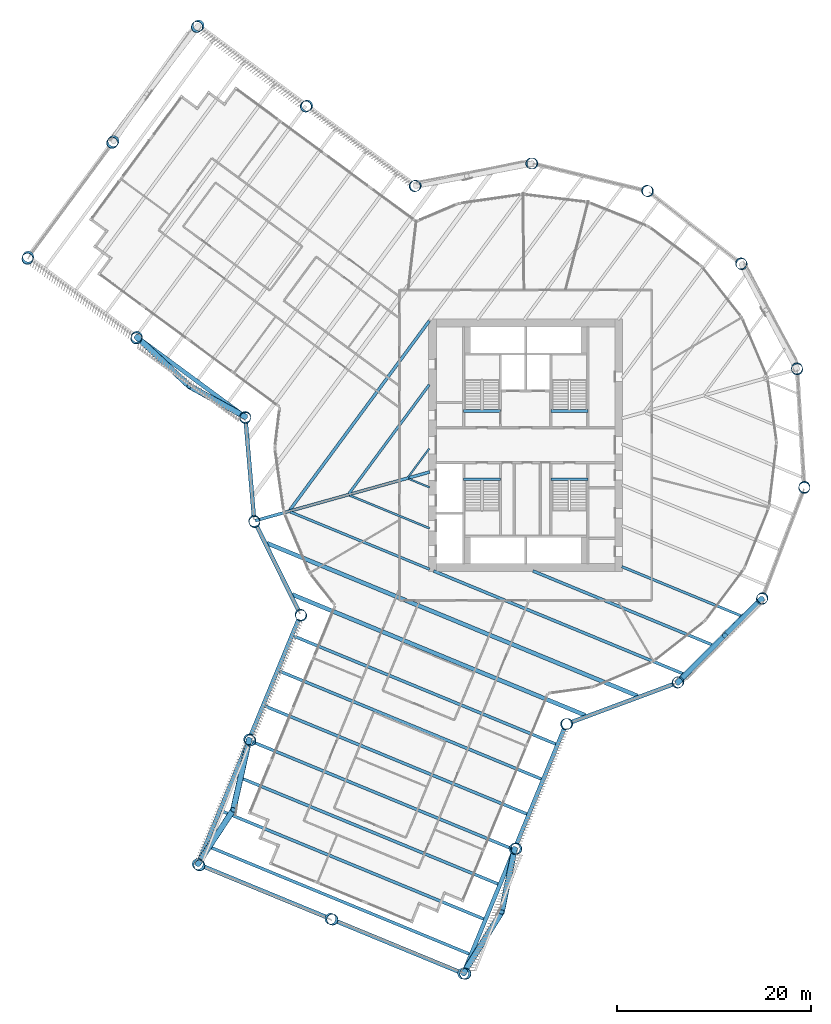
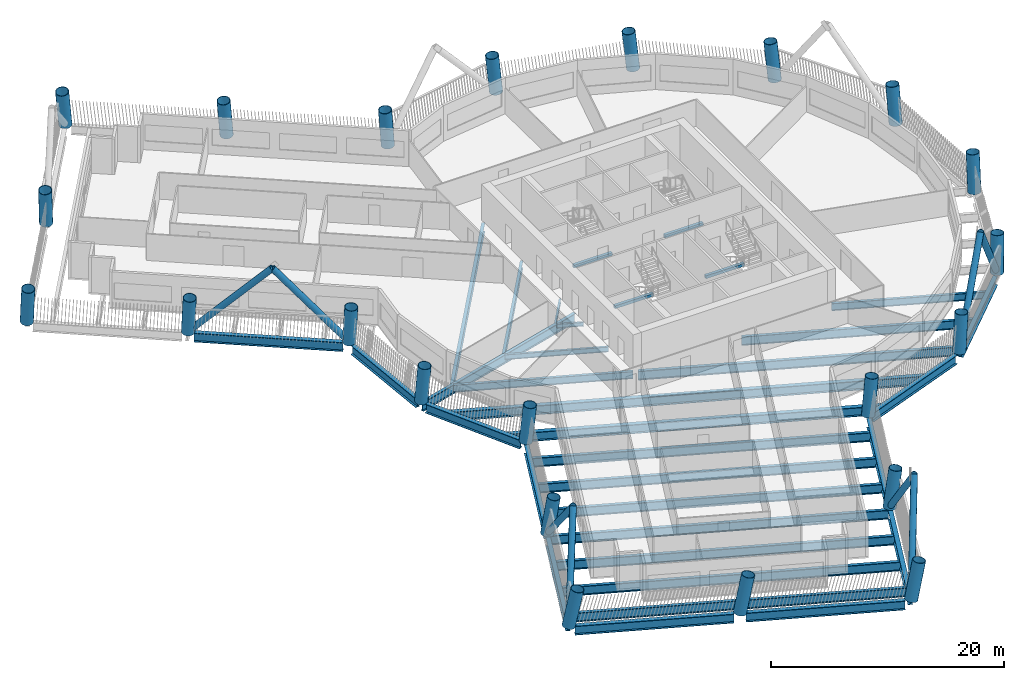
# One storey, part 1 of 23: 34 beams, 22 columns, 8 members.
"""IFC4 building model written with IfcOpenShell, lengths in metres."""

from ifc_helpers import new_model, si_unit, direction, frame, origin, origin_2d, place, context, subcontext, project, spatial, rectangle, hollow_circle, i_section, extrude, material, material_profile, profile_set, type_object, element, save


model = new_model("IFC4")

# Units and contexts
model_context = context("Model", 3, precision=1e-05, world=origin(), true_north=direction((0.0, 1.0)))
body_context = subcontext(model_context, "Body", "Model", "MODEL_VIEW")
ifc_project = project(units=[si_unit("LENGTHUNIT", "METRE"), si_unit("AREAUNIT", "SQUARE_METRE"), si_unit("VOLUMEUNIT", "CUBIC_METRE"), si_unit("PLANEANGLEUNIT", "RADIAN"), si_unit("MASSUNIT", "GRAM", prefix="KILO")], contexts=[model_context])

# Site, building, storey
site_placement = place(None, origin())
site = spatial("IfcSite", under=ifc_project, at=site_placement, CompositionType="ELEMENT")
building_placement = place(site_placement, origin())
building = spatial("IfcBuilding", under=site, at=building_placement, Name="Tarsis Ring Headquarters", CompositionType="ELEMENT")
storey_placement = place(building_placement, frame((0.0, 0.0, 124.0)))
storey = spatial("IfcBuildingStorey", under=building, at=storey_placement, Name="L28", CompositionType="ELEMENT", Elevation=124.0)

# Columns
ifc_material_1 = material(Name="Structural steel S355", Category="steel")
ifc_material_profile_1 = material_profile(ifc_material_1, hollow_circle(Radius=0.584228515625, WallThickness=0.044921875, at=origin_2d()), Name="CHS 1168x45")
ifc_profile_set_1 = profile_set([ifc_material_profile_1], Name="Structural steel S355")
column_type = type_object("IfcColumnType", Name="XC Exo column CHS 1168x45", PredefinedType="COLUMN", material=ifc_profile_set_1)
for number, where, z_axis, x_axis, name in (
    (1, (-27.978515625, -7.811767578125, 0.0009765625), (0.027790009275, -0.09701579471, 0.994894793916), (0.961337332593, 0.275373442734, 0.0), "Exo column XC3 F1"),
    (2, (-23.208251953125, -17.4697265625, 0.0009765625), (0.06118816158, -0.080192631318, 0.99489956818), (0.795006121233, 0.606601407188, 0.0), "Exo column XC3 AK"),
):
    element("IfcColumn", number, at=place(storey_placement, frame(where, z_axis=z_axis, x_axis=x_axis)), inside=storey, type_object=column_type, Name=name, PredefinedType="COLUMN", context=body_context, shape_type="SweptSolid", body=[
        extrude(hollow_circle(Radius=0.584228515625, WallThickness=0.044921875, at=origin_2d()), origin(), (0.0, 0.0, 1.0), 3.918212890625),
    ])
column_1_placement = place(storey_placement, frame((-28.505859375, -30.322998046875, 0.0009765625), z_axis=(0.105370759102, -0.097746874767, 0.989617376363), x_axis=(0.680087108219, 0.733131315137, 0.0)))
element("IfcColumn", 3, at=column_1_placement, inside=storey, type_object=column_type, Name="Exo column XC3 AI1", PredefinedType="COLUMN", context=body_context, shape_type="SweptSolid", body=[
    extrude(hollow_circle(Radius=0.584228515625, WallThickness=0.044921875, at=origin_2d()), origin(), (0.0, 0.0, 1.0), 3.93896484375),
])
column_2_placement = place(storey_placement, frame((-33.8037109375, -43.17626953125, 0.001220703125), z_axis=(0.148825534153, -0.114926042909, 0.9821623924), x_axis=(0.611196043962, 0.791479245366, 0.0)))
element("IfcColumn", 4, at=column_2_placement, inside=storey, type_object=column_type, Name="Exo column XC3 AT1", PredefinedType="COLUMN", context=body_context, shape_type="SweptSolid", body=[
    extrude(hollow_circle(Radius=0.584228515625, WallThickness=0.044921875, at=origin_2d()), origin(), (0.0, 0.0, 1.0), 3.96826171875),
])
column_3_placement = place(storey_placement, frame((-20.120361328125, -48.816162109375, 0.001220703125), z_axis=(0.168054200519, -0.067886997424, 0.983437410956), x_axis=(0.37455296329, 0.92720552074, 0.0)))
element("IfcColumn", 5, at=column_3_placement, inside=storey, type_object=column_type, Name="Exo column XC3 AT2", PredefinedType="COLUMN", context=body_context, shape_type="SweptSolid", body=[
    extrude(hollow_circle(Radius=0.584228515625, WallThickness=0.044921875, at=origin_2d()), origin(), (0.0, 0.0, 1.0), 3.963134765625),
])
column_4_placement = place(storey_placement, frame((-6.43701171875, -54.455810546875, 0.001220703125), z_axis=(0.186848297519, -0.02079510193, 0.982168660389), x_axis=(0.110611113683, 0.993863764069, 0.0)))
element("IfcColumn", 6, at=column_4_placement, inside=storey, type_object=column_type, Name="Exo column XC3 AT3", PredefinedType="COLUMN", context=body_context, shape_type="SweptSolid", body=[
    extrude(hollow_circle(Radius=0.584228515625, WallThickness=0.044921875, at=origin_2d()), origin(), (0.0, 0.0, 1.0), 3.96826171875),
])
column_5_placement = place(storey_placement, frame((-1.139404296875, -41.6025390625, 0.0009765625), z_axis=(0.143737246097, -0.002975156452, 0.989611414914), x_axis=(0.02069414444, 0.999785853264, 0.0)))
element("IfcColumn", 7, at=column_5_placement, inside=storey, type_object=column_type, Name="Exo column XC3 AO1", PredefinedType="COLUMN", context=body_context, shape_type="SweptSolid", body=[
    extrude(hollow_circle(Radius=0.584228515625, WallThickness=0.044921875, at=origin_2d()), origin(), (0.0, 0.0, 1.0), 3.93896484375),
])
for number, where, z_axis, x_axis, name in (
    (8, (4.158203125, -28.749267578125, 0.0009765625), (0.099757681089, 0.015078924937, 0.994897497779), (-0.149457765606, 0.988768110479, 0.0), "Exo column XC3 AJ"),
    (9, (15.638916015625, -24.4794921875, 0.0009765625), (0.084616683082, 0.054894917375, 0.994900278918), (-0.544249862784, 0.838923171011, 0.0), "Exo column XC3 R1"),
    (10, (24.338623046875, -15.85693359375, 0.0009765625), (0.054521022278, 0.084865865535, 0.994899614532), (-0.841339001728, 0.540507802138, 0.0), "Exo column XC3 R2"),
    (11, (28.7109375, -4.4150390625, 0.0009765625), (0.014705057731, 0.099819925781, 0.994896850781), (-0.989322500479, 0.145742890208, 0.0), "Exo column XC3 R3"),
    (12, (27.978515625, 7.811767578125, 0.0009765625), (-0.027790009275, 0.09701579471, 0.994894793916), (-0.961337332593, -0.275373442734, 0.0), "Exo column XC3 R4"),
    (13, (22.271240234375, 18.649658203125, 0.0009765625), (-0.06530024471, 0.076952101352, 0.994894090915), (-0.762472216204, -0.647020957556, 0.0), "Exo column XC3 R5"),
    (14, (12.60400390625, 26.171630859375, 0.0009765625), (-0.0912209497, 0.043180408567, 0.994894060014), (-0.427847477403, -0.903850947933, 0.0), "Exo column XC3 R6"),
    (15, (0.69580078125, 29.040283203125, 0.0009765625), (-0.100879229539, 0.001682358986, 0.994897256362), (-0.016674642464, -0.999860968484, 0.0), "Exo column XC3 R7"),
    (16, (-11.336181640625, 26.7451171875, 0.0009765625), (-0.092654103844, -0.040002646044, 0.994894469454), (0.396376881788, -0.918087886634, 0.0), "Exo column XC3 BJ"),
):
    element("IfcColumn", number, at=place(storey_placement, frame(where, z_axis=z_axis, x_axis=x_axis)), inside=storey, type_object=column_type, Name=name, PredefinedType="COLUMN", context=body_context, shape_type="SweptSolid", body=[
        extrude(hollow_circle(Radius=0.584228515625, WallThickness=0.044921875, at=origin_2d()), origin(), (0.0, 0.0, 1.0), 3.918212890625),
    ])
column_6_placement = place(storey_placement, frame((-22.526123046875, 34.9951171875, 0.0009765625), z_axis=(-0.120369487639, -0.078655447896, 0.989608259344), x_axis=(0.547017060056, -0.837121458337, 0.0)))
element("IfcColumn", 17, at=column_6_placement, inside=storey, type_object=column_type, Name="Exo column XC3 BO1", PredefinedType="COLUMN", context=body_context, shape_type="SweptSolid", body=[
    extrude(hollow_circle(Radius=0.584228515625, WallThickness=0.044921875, at=origin_2d()), origin(), (0.0, 0.0, 1.0), 3.93896484375),
])
column_7_placement = place(storey_placement, frame((-33.716064453125, 43.244873046875, 0.001220703125), z_axis=(-0.147473229834, -0.116588139564, 0.98217048021), x_axis=(0.620174702512, -0.784463726608, 0.0)))
element("IfcColumn", 18, at=column_7_placement, inside=storey, type_object=column_type, Name="Exo column XC3 BT3", PredefinedType="COLUMN", context=body_context, shape_type="SweptSolid", body=[
    extrude(hollow_circle(Radius=0.584228515625, WallThickness=0.044921875, at=origin_2d()), origin(), (0.0, 0.0, 1.0), 3.96826171875),
])
column_8_placement = place(storey_placement, frame((-42.49853515625, 31.332275390625, 0.001220703125), z_axis=(-0.106573777046, -0.146615947612, 0.98343570911), x_axis=(0.808883028491, -0.58796959634, 0.0)))
element("IfcColumn", 19, at=column_8_placement, inside=storey, type_object=column_type, Name="Exo column XC3 BT2", PredefinedType="COLUMN", context=body_context, shape_type="SweptSolid", body=[
    extrude(hollow_circle(Radius=0.584228515625, WallThickness=0.044921875, at=origin_2d()), origin(), (0.0, 0.0, 1.0), 3.963134765625),
])
column_9_placement = place(storey_placement, frame((-51.281005859375, 19.419921875, 0.001220703125), z_axis=(-0.065399908417, -0.176265980822, 0.982167580398), x_axis=(0.93754728445, -0.34785785807, 0.0)))
element("IfcColumn", 20, at=column_9_placement, inside=storey, type_object=column_type, Name="Exo column XC3 BT1", PredefinedType="COLUMN", context=body_context, shape_type="SweptSolid", body=[
    extrude(hollow_circle(Radius=0.584228515625, WallThickness=0.044921875, at=origin_2d()), origin(), (0.0, 0.0, 1.0), 3.96826171875),
])
column_10_placement = place(storey_placement, frame((-40.09130859375, 11.170166015625, 0.0009765625), z_axis=(-0.037623223868, -0.138778250807, 0.989608553989), x_axis=(0.965160626691, -0.261658106477, 0.0)))
element("IfcColumn", 21, at=column_10_placement, inside=storey, type_object=column_type, Name="Exo column XC3 BI1", PredefinedType="COLUMN", context=body_context, shape_type="SweptSolid", body=[
    extrude(hollow_circle(Radius=0.584228515625, WallThickness=0.044921875, at=origin_2d()), origin(), (0.0, 0.0, 1.0), 3.93896484375),
])
column_11_placement = place(storey_placement, frame((-28.9013671875, 2.92041015625, 0.0009765625), z_axis=(-0.009471062442, -0.100443109581, 0.994897723745), x_axis=(0.995583860201, -0.093876393766, 0.0)))
element("IfcColumn", 22, at=column_11_placement, inside=storey, type_object=column_type, Name="Exo column XC3 BK", PredefinedType="COLUMN", context=body_context, shape_type="SweptSolid", body=[
    extrude(hollow_circle(Radius=0.584228515625, WallThickness=0.044921875, at=origin_2d()), origin(), (0.0, 0.0, 1.0), 3.918212890625),
])

# Beams
ifc_material_profile_2 = material_profile(ifc_material_1, i_section(OverallWidth=0.177734375, OverallDepth=0.406494140625, WebThickness=0.0078125, FlangeThickness=0.0126953125, at=origin_2d()), Name="W16x40")
ifc_profile_set_2 = profile_set([ifc_material_profile_2], Name="Structural steel S355")
beam_type_1 = type_object("IfcBeamType", Name="FB Floor beam W16x40", PredefinedType="JOIST", material=ifc_profile_set_2)
beam_1_placement = place(storey_placement, frame((-12.062255859375, -3.46484375, -0.36328125), z_axis=(0.924539194402, -0.381086969095, 0.0), x_axis=(0.381086969095, 0.924539194402, 0.0)))
element("IfcBeam", 23, at=beam_1_placement, inside=storey, type_object=beam_type_1, Name="Floor beam FB1", PredefinedType="JOIST", context=body_context, shape_type="SweptSolid", body=[
    extrude(i_section(OverallWidth=0.177734375, OverallDepth=0.406494140625, WebThickness=0.0078125, FlangeThickness=0.0126953125, at=origin_2d()), origin(), (0.0, 0.0, 1.0), 2.33056640625),
])
beam_2_placement = place(storey_placement, frame((-9.940673828125, -0.339111328125, -0.36328125), z_axis=(-0.593426561092, -0.804888139179, 0.0), x_axis=(0.804888139179, -0.593426561092, 0.0)))
element("IfcBeam", 24, at=beam_2_placement, inside=storey, type_object=beam_type_1, Name="Floor beam FB1", PredefinedType="JOIST", context=body_context, shape_type="SweptSolid", body=[
    extrude(i_section(OverallWidth=0.177734375, OverallDepth=0.406494140625, WebThickness=0.0078125, FlangeThickness=0.0126953125, at=origin_2d()), origin(), (0.0, 0.0, 1.0), 3.659912109375),
])
ifc_material_profile_3 = material_profile(ifc_material_1, i_section(OverallWidth=0.209228515625, OverallDepth=0.533447265625, WebThickness=0.01025390625, FlangeThickness=0.015625, at=origin_2d()), Name="W21x62")
ifc_profile_set_3 = profile_set([ifc_material_profile_3], Name="Structural steel S355")
beam_type_2 = type_object("IfcBeamType", Name="FB Floor beam W21x62", PredefinedType="JOIST", material=ifc_profile_set_3)
beam_3_placement = place(storey_placement, frame((-18.16357421875, -5.16845703125, -0.4267578125), z_axis=(0.924549516445, -0.381061926256, 0.0), x_axis=(0.381061926256, 0.924549516445, 0.0)))
element("IfcBeam", 25, at=beam_3_placement, inside=storey, type_object=beam_type_2, Name="Floor beam FB3", PredefinedType="JOIST", context=body_context, shape_type="SweptSolid", body=[
    extrude(i_section(OverallWidth=0.209228515625, OverallDepth=0.533447265625, WebThickness=0.01025390625, FlangeThickness=0.015625, at=origin_2d()), origin(), (0.0, 0.0, 1.0), 8.929931640625),
])
ifc_material_profile_4 = material_profile(ifc_material_1, i_section(OverallWidth=0.2666015625, OverallDepth=0.7568359375, WebThickness=0.013916015625, FlangeThickness=0.019287109375, at=origin_2d()), Name="W30x108")
ifc_profile_set_4 = profile_set([ifc_material_profile_4], Name="Structural steel S355")
beam_type_3 = type_object("IfcBeamType", Name="FB Floor beam W30x108", PredefinedType="JOIST", material=ifc_profile_set_4)
beam_4_placement = place(storey_placement, frame((9.907470703125, -12.520263671875, -0.538330078125), z_axis=(0.924550008296, -0.381060732902, 0.0), x_axis=(0.381060732902, 0.924550008296, 0.0)))
element("IfcBeam", 26, at=beam_4_placement, inside=storey, type_object=beam_type_3, Name="Floor beam FB6", PredefinedType="JOIST", context=body_context, shape_type="SweptSolid", body=[
    extrude(i_section(OverallWidth=0.2666015625, OverallDepth=0.7568359375, WebThickness=0.013916015625, FlangeThickness=0.019287109375, at=origin_2d()), origin(), (0.0, 0.0, 1.0), 13.466064453125),
])
beam_5_placement = place(storey_placement, frame((-24.264892578125, -6.871826171875, -0.538330078125), z_axis=(0.924545526678, -0.381071606263, 0.0), x_axis=(0.381071606263, 0.924545526678, 0.0)))
element("IfcBeam", 27, at=beam_5_placement, inside=storey, type_object=beam_type_3, Name="Floor beam FB6", PredefinedType="JOIST", context=body_context, shape_type="SweptSolid", body=[
    extrude(i_section(OverallWidth=0.2666015625, OverallDepth=0.7568359375, WebThickness=0.013916015625, FlangeThickness=0.019287109375, at=origin_2d()), origin(), (0.0, 0.0, 1.0), 15.529052734375),
])
beam_6_placement = place(storey_placement, frame((-9.940673828125, 6.233154296875, -0.538330078125), z_axis=(-0.59341226772, -0.804898677176, 0.0), x_axis=(0.804898677176, -0.59341226772, 0.0)))
element("IfcBeam", 28, at=beam_6_placement, inside=storey, type_object=beam_type_3, Name="Floor beam FB6", PredefinedType="JOIST", context=body_context, shape_type="SweptSolid", body=[
    extrude(i_section(OverallWidth=0.2666015625, OverallDepth=0.7568359375, WebThickness=0.013916015625, FlangeThickness=0.019287109375, at=origin_2d()), origin(), (0.0, 0.0, 1.0), 13.941650390625),
])
ifc_material_profile_5 = material_profile(ifc_material_1, i_section(OverallWidth=0.3046875, OverallDepth=0.904296875, WebThickness=0.01513671875, FlangeThickness=0.02001953125, at=origin_2d()), Name="W36x135")
ifc_profile_set_5 = profile_set([ifc_material_profile_5], Name="Structural steel S355")
beam_type_4 = type_object("IfcBeamType", Name="FB Floor beam W36x135", PredefinedType="JOIST", material=ifc_profile_set_5)
beam_7_placement = place(storey_placement, frame((0.744873046875, -12.9619140625, -0.612060546875), z_axis=(0.924549161306, -0.381062787909, 0.0), x_axis=(0.381062787909, 0.924549161306, 0.0)))
element("IfcBeam", 29, at=beam_7_placement, inside=storey, type_object=beam_type_4, Name="Floor beam FB8", PredefinedType="JOIST", context=body_context, shape_type="SweptSolid", body=[
    extrude(i_section(OverallWidth=0.3046875, OverallDepth=0.904296875, WebThickness=0.01513671875, FlangeThickness=0.02001953125, at=origin_2d()), origin(), (0.0, 0.0, 1.0), 20.125244140625),
])
ifc_material_profile_6 = material_profile(ifc_material_1, i_section(OverallWidth=0.309814453125, OverallDepth=0.93212890625, WebThickness=0.02099609375, FlangeThickness=0.034423828125, at=origin_2d()), Name="W36x210")
ifc_profile_set_6 = profile_set([ifc_material_profile_6], Name="Structural steel S355")
beam_type_5 = type_object("IfcBeamType", Name="FB Floor beam W36x210", PredefinedType="JOIST", material=ifc_profile_set_6)
beam_8_placement = place(storey_placement, frame((-9.940673828125, 12.80517578125, -0.626220703125), z_axis=(-0.593419736102, -0.804893171051, 0.0), x_axis=(0.804893171051, -0.593419736102, 0.0)))
element("IfcBeam", 30, at=beam_8_placement, inside=storey, type_object=beam_type_5, Name="Floor beam FB10", PredefinedType="JOIST", context=body_context, shape_type="SweptSolid", body=[
    extrude(i_section(OverallWidth=0.309814453125, OverallDepth=0.93212890625, WebThickness=0.02099609375, FlangeThickness=0.034423828125, at=origin_2d()), origin(), (0.0, 0.0, 1.0), 24.22314453125),
])
ifc_material_profile_7 = material_profile(ifc_material_1, i_section(OverallWidth=0.309814453125, OverallDepth=0.949951171875, WebThickness=0.0244140625, FlangeThickness=0.0439453125, at=origin_2d()), Name="W36x256")
ifc_profile_set_7 = profile_set([ifc_material_profile_7], Name="Structural steel S355")
beam_type_6 = type_object("IfcBeamType", Name="FB Floor beam W36x256", PredefinedType="JOIST", material=ifc_profile_set_7)
beam_9_placement = place(storey_placement, frame((-9.489501953125, -12.9619140625, -0.635009765625), z_axis=(0.924545592211, -0.381071447268, 0.0), x_axis=(0.381071447268, 0.924545592211, 0.0)))
element("IfcBeam", 31, at=beam_9_placement, inside=storey, type_object=beam_type_6, Name="Floor beam FB11", PredefinedType="JOIST", context=body_context, shape_type="SweptSolid", body=[
    extrude(i_section(OverallWidth=0.309814453125, OverallDepth=0.949951171875, WebThickness=0.0244140625, FlangeThickness=0.0439453125, at=origin_2d()), origin(), (0.0, 0.0, 1.0), 27.943359375),
])
beam_10_placement = place(storey_placement, frame((-23.98291015625, -19.64306640625, -0.635009765625), z_axis=(0.924548611028, -0.38106412301, 0.0), x_axis=(0.38106412301, 0.924548611028, 0.0)))
element("IfcBeam", 32, at=beam_10_placement, inside=storey, type_object=beam_type_6, Name="Floor beam FB11", PredefinedType="JOIST", context=body_context, shape_type="SweptSolid", body=[
    extrude(i_section(OverallWidth=0.309814453125, OverallDepth=0.949951171875, WebThickness=0.0244140625, FlangeThickness=0.0439453125, at=origin_2d()), origin(), (0.0, 0.0, 1.0), 29.3759765625),
])
beam_11_placement = place(storey_placement, frame((-25.468994140625, -23.248779296875, -0.635009765625), z_axis=(0.924547404186, -0.381067051071, 0.0), x_axis=(0.381067051071, 0.924547404186, 0.0)))
element("IfcBeam", 33, at=beam_11_placement, inside=storey, type_object=beam_type_6, Name="Floor beam FB11", PredefinedType="JOIST", context=body_context, shape_type="SweptSolid", body=[
    extrude(i_section(OverallWidth=0.309814453125, OverallDepth=0.949951171875, WebThickness=0.0244140625, FlangeThickness=0.0439453125, at=origin_2d()), origin(), (0.0, 0.0, 1.0), 29.375732421875),
])
beam_12_placement = place(storey_placement, frame((-26.955322265625, -26.8544921875, -0.635009765625), z_axis=(0.924548611028, -0.38106412301, 0.0), x_axis=(0.38106412301, 0.924548611028, 0.0)))
element("IfcBeam", 34, at=beam_12_placement, inside=storey, type_object=beam_type_6, Name="Floor beam FB11", PredefinedType="JOIST", context=body_context, shape_type="SweptSolid", body=[
    extrude(i_section(OverallWidth=0.309814453125, OverallDepth=0.949951171875, WebThickness=0.0244140625, FlangeThickness=0.0439453125, at=origin_2d()), origin(), (0.0, 0.0, 1.0), 29.3759765625),
])
for number, where, z_axis, x_axis, name in (
    (35, (-28.44140625, -30.460205078125, -0.635009765625), (0.924544476087, -0.381074155168, 0.0), (0.381074155168, 0.924544476087, 0.0), "Floor beam FB11"),
    (36, (-29.927490234375, -34.06591796875, -0.635009765625), (0.924544476087, -0.381074155168, 0.0), (0.381074155168, 0.924544476087, 0.0), "Floor beam FB11"),
):
    element("IfcBeam", number, at=place(storey_placement, frame(where, z_axis=z_axis, x_axis=x_axis)), inside=storey, type_object=beam_type_6, Name=name, PredefinedType="JOIST", context=body_context, shape_type="SweptSolid", body=[
        extrude(i_section(OverallWidth=0.309814453125, OverallDepth=0.949951171875, WebThickness=0.0244140625, FlangeThickness=0.0439453125, at=origin_2d()), origin(), (0.0, 0.0, 1.0), 29.375732421875),
    ])
beam_13_placement = place(storey_placement, frame((-31.413818359375, -37.671630859375, -0.635009765625), z_axis=(0.92454568297, -0.381071227071, 0.0), x_axis=(0.381071227071, 0.92454568297, 0.0)))
element("IfcBeam", 37, at=beam_13_placement, inside=storey, type_object=beam_type_6, Name="Floor beam FB11", PredefinedType="JOIST", context=body_context, shape_type="SweptSolid", body=[
    extrude(i_section(OverallWidth=0.309814453125, OverallDepth=0.949951171875, WebThickness=0.0244140625, FlangeThickness=0.0439453125, at=origin_2d()), origin(), (0.0, 0.0, 1.0), 29.3759765625),
])
beam_14_placement = place(storey_placement, frame((-32.89990234375, -41.27734375, -0.635009765625), z_axis=(0.924544476087, -0.381074155168, 0.0), x_axis=(0.381074155168, 0.924544476087, 0.0)))
element("IfcBeam", 38, at=beam_14_placement, inside=storey, type_object=beam_type_6, Name="Floor beam FB11", PredefinedType="JOIST", context=body_context, shape_type="SweptSolid", body=[
    extrude(i_section(OverallWidth=0.309814453125, OverallDepth=0.949951171875, WebThickness=0.0244140625, FlangeThickness=0.0439453125, at=origin_2d()), origin(), (0.0, 0.0, 1.0), 29.375732421875),
])
beam_type_7 = type_object("IfcBeamType", Name="FB Floor beam W36x256 spine", PredefinedType="BEAM", material=ifc_profile_set_7)
beam_15_placement = place(storey_placement, frame((-9.903564453125, -2.76513671875, -0.635009765625), z_axis=(-0.963163742385, -0.268915610098, 0.0), x_axis=(0.268915610098, -0.963163742385, 0.0)))
element("IfcBeam", 39, at=beam_15_placement, inside=storey, type_object=beam_type_7, Name="Floor beam SB11", PredefinedType="BEAM", context=body_context, shape_type="SweptSolid", body=[
    extrude(i_section(OverallWidth=0.309814453125, OverallDepth=0.949951171875, WebThickness=0.0244140625, FlangeThickness=0.0439453125, at=origin_2d()), origin(), (0.0, 0.0, 1.0), 18.650390625),
])
ifc_material_profile_8 = material_profile(ifc_material_1, i_section(OverallWidth=0.42431640625, OverallDepth=0.947509765625, WebThickness=0.02392578125, FlangeThickness=0.042724609375, at=origin_2d()), Name="W36x302")
ifc_profile_set_8 = profile_set([ifc_material_profile_8], Name="Structural steel S355")
beam_type_8 = type_object("IfcBeamType", Name="FB Floor beam W36x302", PredefinedType="JOIST", material=ifc_profile_set_8)
beam_16_placement = place(storey_placement, frame((-26.68994140625, -10.090576171875, -0.6337890625), z_axis=(0.924544524402, -0.381074037947, 0.0), x_axis=(0.381074037947, 0.924544524402, 0.0)))
element("IfcBeam", 40, at=beam_16_placement, inside=storey, type_object=beam_type_8, Name="Floor beam FB12", PredefinedType="JOIST", context=body_context, shape_type="SweptSolid", body=[
    extrude(i_section(OverallWidth=0.42431640625, OverallDepth=0.947509765625, WebThickness=0.02392578125, FlangeThickness=0.042724609375, at=origin_2d()), origin(), (0.0, 0.0, 1.0), 41.35302734375),
])
beam_17_placement = place(storey_placement, frame((-24.073974609375, -15.38720703125, -0.6337890625), z_axis=(0.924547870713, -0.381065919179, 0.0), x_axis=(0.381065919179, 0.924547870713, 0.0)))
element("IfcBeam", 41, at=beam_17_placement, inside=storey, type_object=beam_type_8, Name="Floor beam FB12", PredefinedType="JOIST", context=body_context, shape_type="SweptSolid", body=[
    extrude(i_section(OverallWidth=0.42431640625, OverallDepth=0.947509765625, WebThickness=0.02392578125, FlangeThickness=0.042724609375, at=origin_2d()), origin(), (0.0, 0.0, 1.0), 32.70458984375),
])
ifc_material_2 = material(Name="Concrete C40/50", Category="concrete")
ifc_material_profile_9 = material_profile(ifc_material_2, rectangle(XDim=0.300048828125, YDim=0.300048828125, at=origin_2d()), Name="Stair head beam 300x300 C40/50")
ifc_profile_set_9 = profile_set([ifc_material_profile_9], Name="Concrete C40/50")
beam_type_9 = type_object("IfcBeamType", Name="Stair head beam 300x300 C40/50", PredefinedType="BEAM", material=ifc_profile_set_9)
for number, where, z_axis, x_axis, name in (
    (42, (-6.39990234375, 3.510009765625, -0.31005859375), (1.0, 0.0, 0.0), (0.0, 1.0, 0.0), "Stair head beam L28 Firefighting stair"),
    (43, (2.60009765625, 3.510009765625, -0.31005859375), (1.0, 0.0, 0.0), (0.0, 1.0, 0.0), "Stair head beam L28 Exit stair B"),
    (44, (-6.39990234375, -3.510009765625, -0.31005859375), (1.0, 0.0, 0.0), (0.0, 1.0, 0.0), "Stair head beam L28 Exit stair C"),
    (45, (2.60009765625, -3.510009765625, -0.31005859375), (1.0, 0.0, 0.0), (0.0, 1.0, 0.0), "Stair head beam L28 Exit stair D"),
):
    element("IfcBeam", number, at=place(storey_placement, frame(where, z_axis=z_axis, x_axis=x_axis)), inside=storey, type_object=beam_type_9, Name=name, PredefinedType="BEAM", context=body_context, shape_type="SweptSolid", body=[
        extrude(rectangle(XDim=0.300048828125, YDim=0.300048828125, at=origin_2d()), origin(), (0.0, 0.0, 1.0), 3.7998046875),
    ])

# Members
ifc_material_profile_10 = material_profile(ifc_material_1, hollow_circle(Radius=0.3046875, WallThickness=0.02490234375, at=origin_2d()), Name="CHS 610x25")
ifc_profile_set_10 = profile_set([ifc_material_profile_10], Name="Structural steel S355")
member_type = type_object("IfcMemberType", Name="XD X brace CHS 610x25", PredefinedType="BRACE", material=ifc_profile_set_10)
member_1_placement = place(storey_placement, frame((-28.506103515625, -30.322998046875, 0.0), z_axis=(-0.151807558029, -0.67346488415, 0.723463554813), x_axis=(0.975523454791, -0.219895405027, 0.0)))
element("IfcMember", 46, at=member_1_placement, inside=storey, type_object=member_type, Name="X brace XD1", PredefinedType="BRACE", context=body_context, shape_type="SweptSolid", body=[
    extrude(hollow_circle(Radius=0.3046875, WallThickness=0.02490234375, at=origin_2d()), origin(), (0.0, 0.0, 1.0), 10.781494140625),
])
member_2_placement = place(storey_placement, frame((-33.8037109375, -43.17626953125, 0.0), z_axis=(0.356390640922, 0.544413739311, 0.759341419595), x_axis=(-0.836668345104, 0.547709850469, 0.0)))
element("IfcMember", 47, at=member_2_placement, inside=storey, type_object=member_type, Name="X brace XD1", PredefinedType="BRACE", context=body_context, shape_type="SweptSolid", body=[
    extrude(hollow_circle(Radius=0.3046875, WallThickness=0.02490234375, at=origin_2d()), origin(), (0.0, 0.0, 1.0), 10.272216796875),
])
member_3_placement = place(storey_placement, frame((-6.437255859375, -54.455810546875, 0.0), z_axis=(0.366338935685, 0.586964870487, 0.721988936906), x_axis=(-0.848332083359, 0.529464518493, 0.0)))
element("IfcMember", 48, at=member_3_placement, inside=storey, type_object=member_type, Name="X brace XD1", PredefinedType="BRACE", context=body_context, shape_type="SweptSolid", body=[
    extrude(hollow_circle(Radius=0.3046875, WallThickness=0.02490234375, at=origin_2d()), origin(), (0.0, 0.0, 1.0), 10.803466796875),
])
member_4_placement = place(storey_placement, frame((-1.139404296875, -41.6025390625, 0.0), z_axis=(-0.130752878476, -0.635374663433, 0.761053691824), x_axis=(0.979475171538, -0.20156484897, 0.0)))
element("IfcMember", 49, at=member_4_placement, inside=storey, type_object=member_type, Name="X brace XD1", PredefinedType="BRACE", context=body_context, shape_type="SweptSolid", body=[
    extrude(hollow_circle(Radius=0.3046875, WallThickness=0.02490234375, at=origin_2d()), origin(), (0.0, 0.0, 1.0), 10.2490234375),
])
member_5_placement = place(storey_placement, frame((15.638671875, -24.4794921875, 0.0), z_axis=(0.4697922208, 0.467025426926, 0.74912116502), x_axis=(-0.705015339801, 0.709192054838, 0.0)))
element("IfcMember", 50, at=member_5_placement, inside=storey, type_object=member_type, Name="X brace XD1", PredefinedType="BRACE", context=body_context, shape_type="SweptSolid", body=[
    extrude(hollow_circle(Radius=0.3046875, WallThickness=0.02490234375, at=origin_2d()), origin(), (0.0, 0.0, 1.0), 10.412353515625),
])
member_6_placement = place(storey_placement, frame((24.338623046875, -15.857177734375, 0.0), z_axis=(-0.402603894454, -0.397441975171, 0.824590795815), x_axis=(0.702529885069, -0.711654242301, 0.0)))
element("IfcMember", 51, at=member_6_placement, inside=storey, type_object=member_type, Name="X brace XD1", PredefinedType="BRACE", context=body_context, shape_type="SweptSolid", body=[
    extrude(hollow_circle(Radius=0.3046875, WallThickness=0.02490234375, at=origin_2d()), origin(), (0.0, 0.0, 1.0), 9.459228515625),
])
member_7_placement = place(storey_placement, frame((-40.091064453125, 11.170166015625, 0.0), z_axis=(0.503183934493, -0.47074679676, 0.724709170225), x_axis=(0.683177515921, 0.73025234114, 0.0)))
element("IfcMember", 52, at=member_7_placement, inside=storey, type_object=member_type, Name="X brace XD1", PredefinedType="BRACE", context=body_context, shape_type="SweptSolid", body=[
    extrude(hollow_circle(Radius=0.3046875, WallThickness=0.02490234375, at=origin_2d()), origin(), (0.0, 0.0, 1.0), 10.762939453125),
])
member_8_placement = place(storey_placement, frame((-28.9013671875, 2.92041015625, 0.0), z_axis=(-0.56533496803, 0.311663311339, 0.76371614772), x_axis=(-0.482785606334, -0.875738578753, 0.0)))
element("IfcMember", 53, at=member_8_placement, inside=storey, type_object=member_type, Name="X brace XD1", PredefinedType="BRACE", context=body_context, shape_type="SweptSolid", body=[
    extrude(hollow_circle(Radius=0.3046875, WallThickness=0.02490234375, at=origin_2d()), origin(), (0.0, 0.0, 1.0), 10.21337890625),
])

# Beams
beam_type_10 = type_object("IfcBeamType", Name="XG Ring girder W36x302", PredefinedType="BEAM", material=ifc_profile_set_8)
beam_18_placement = place(storey_placement, frame((-27.74560546875, -8.283203125, -0.4736328125), z_axis=(0.442837898144, -0.896601693043, 0.0), x_axis=(0.896601693043, 0.442837898144, 0.0)))
element("IfcBeam", 54, at=beam_18_placement, inside=storey, type_object=beam_type_10, Name="Ring girder XG1", PredefinedType="BEAM", context=body_context, shape_type="SweptSolid", body=[
    extrude(i_section(OverallWidth=0.42431640625, OverallDepth=0.947509765625, WebThickness=0.02392578125, FlangeThickness=0.042724609375, at=origin_2d()), origin(), (0.0, 0.0, 1.0), 9.72021484375),
])
for number, where, z_axis, x_axis, name in (
    (55, (-23.40869140625, -17.955810546875, -0.4736328125), (-0.381066063806, -0.924547811103, 0.0), (0.924547811103, -0.381066063806, 0.0), "Ring girder XG1"),
    (56, (-28.70654296875, -30.80908203125, -0.4736328125), (-0.381066063806, -0.924547811103, 0.0), (0.924547811103, -0.381066063806, 0.0), "Ring girder XG1"),
):
    element("IfcBeam", number, at=place(storey_placement, frame(where, z_axis=z_axis, x_axis=x_axis)), inside=storey, type_object=beam_type_10, Name=name, PredefinedType="BEAM", context=body_context, shape_type="SweptSolid", body=[
        extrude(i_section(OverallWidth=0.42431640625, OverallDepth=0.947509765625, WebThickness=0.02392578125, FlangeThickness=0.042724609375, at=origin_2d()), origin(), (0.0, 0.0, 1.0), 12.850830078125),
    ])
beam_19_placement = place(storey_placement, frame((-33.317626953125, -43.37646484375, -0.4736328125), z_axis=(0.924541230299, -0.381082029852, 0.0), x_axis=(0.381082029852, 0.924541230299, 0.0)))
element("IfcBeam", 57, at=beam_19_placement, inside=storey, type_object=beam_type_10, Name="Ring girder XG1", PredefinedType="BEAM", context=body_context, shape_type="SweptSolid", body=[
    extrude(i_section(OverallWidth=0.42431640625, OverallDepth=0.947509765625, WebThickness=0.02392578125, FlangeThickness=0.042724609375, at=origin_2d()), origin(), (0.0, 0.0, 1.0), 13.748291015625),
])
beam_20_placement = place(storey_placement, frame((-19.634521484375, -49.016357421875, -0.4736328125), z_axis=(0.924543809084, -0.381075773417, 0.0), x_axis=(0.381075773417, 0.924543809084, 0.0)))
element("IfcBeam", 58, at=beam_20_placement, inside=storey, type_object=beam_type_10, Name="Ring girder XG1", PredefinedType="BEAM", context=body_context, shape_type="SweptSolid", body=[
    extrude(i_section(OverallWidth=0.42431640625, OverallDepth=0.947509765625, WebThickness=0.02392578125, FlangeThickness=0.042724609375, at=origin_2d()), origin(), (0.0, 0.0, 1.0), 13.74853515625),
])
for number, where, z_axis, x_axis, name in (
    (59, (-6.23681640625, -53.9697265625, -0.4736328125), (0.381066063806, 0.924547811103, 0.0), (-0.924547811103, 0.381066063806, 0.0), "Ring girder XG1"),
    (60, (-0.939208984375, -41.116455078125, -0.4736328125), (0.381066063806, 0.924547811103, 0.0), (-0.924547811103, 0.381066063806, 0.0), "Ring girder XG1"),
):
    element("IfcBeam", number, at=place(storey_placement, frame(where, z_axis=z_axis, x_axis=x_axis)), inside=storey, type_object=beam_type_10, Name=name, PredefinedType="BEAM", context=body_context, shape_type="SweptSolid", body=[
        extrude(i_section(OverallWidth=0.42431640625, OverallDepth=0.947509765625, WebThickness=0.02392578125, FlangeThickness=0.042724609375, at=origin_2d()), origin(), (0.0, 0.0, 1.0), 12.850830078125),
    ])
beam_21_placement = place(storey_placement, frame((4.651123046875, -28.566162109375, -0.4736328125), z_axis=(0.937272885349, 0.348596526647, 0.0), x_axis=(-0.348596526647, 0.937272885349, 0.0)))
element("IfcBeam", 61, at=beam_21_placement, inside=storey, type_object=beam_type_10, Name="Ring girder XG1", PredefinedType="BEAM", context=body_context, shape_type="SweptSolid", body=[
    extrude(i_section(OverallWidth=0.42431640625, OverallDepth=0.947509765625, WebThickness=0.02392578125, FlangeThickness=0.042724609375, at=origin_2d()), origin(), (0.0, 0.0, 1.0), 11.197265625),
])
beam_22_placement = place(storey_placement, frame((16.01220703125, -24.109375, -0.4736328125), z_axis=(0.710261275368, 0.703938151198, 0.0), x_axis=(-0.703938151198, 0.710261275368, 0.0)))
element("IfcBeam", 62, at=beam_22_placement, inside=storey, type_object=beam_type_10, Name="Ring girder XG1", PredefinedType="BEAM", context=body_context, shape_type="SweptSolid", body=[
    extrude(i_section(OverallWidth=0.42431640625, OverallDepth=0.947509765625, WebThickness=0.02392578125, FlangeThickness=0.042724609375, at=origin_2d()), origin(), (0.0, 0.0, 1.0), 11.197021484375),
])
beam_23_placement = place(storey_placement, frame((-39.66796875, 10.858154296875, -0.4736328125), z_axis=(0.80489966211, -0.593410931763, 0.0), x_axis=(0.593410931763, 0.80489966211, 0.0)))
element("IfcBeam", 63, at=beam_23_placement, inside=storey, type_object=beam_type_10, Name="Ring girder XG1", PredefinedType="BEAM", context=body_context, shape_type="SweptSolid", body=[
    extrude(i_section(OverallWidth=0.42431640625, OverallDepth=0.947509765625, WebThickness=0.02392578125, FlangeThickness=0.042724609375, at=origin_2d()), origin(), (0.0, 0.0, 1.0), 12.8505859375),
])
beam_24_placement = place(storey_placement, frame((-28.856201171875, 2.396484375, -0.4736328125), z_axis=(0.08567469963, -0.996323163358, 0.0), x_axis=(0.996323163358, 0.08567469963, 0.0)))
element("IfcBeam", 64, at=beam_24_placement, inside=storey, type_object=beam_type_10, Name="Ring girder XG1", PredefinedType="BEAM", context=body_context, shape_type="SweptSolid", body=[
    extrude(i_section(OverallWidth=0.42431640625, OverallDepth=0.947509765625, WebThickness=0.02392578125, FlangeThickness=0.042724609375, at=origin_2d()), origin(), (0.0, 0.0, 1.0), 9.719970703125),
])

save(model, "model.ifc")
